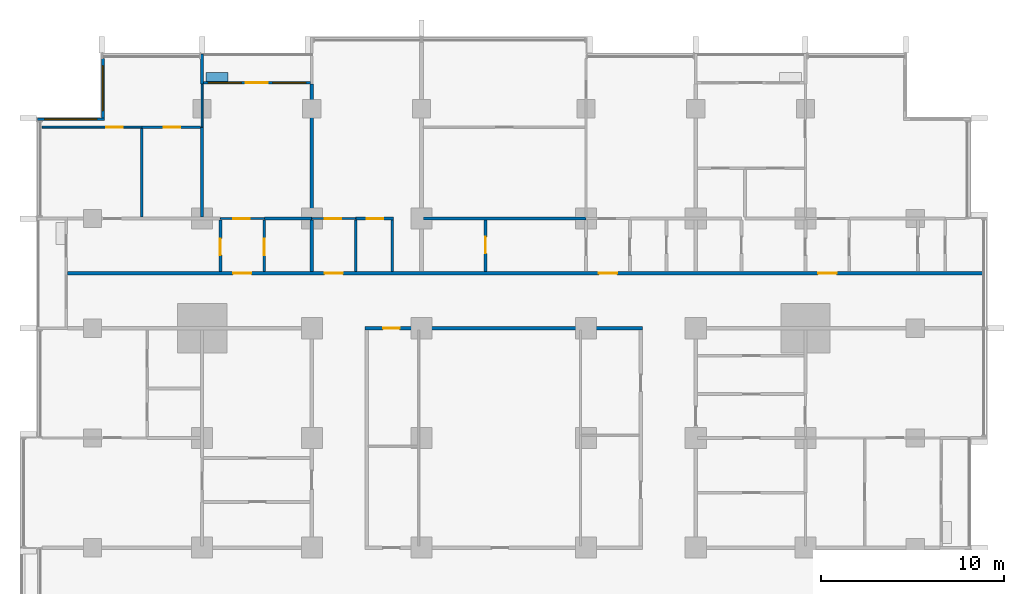
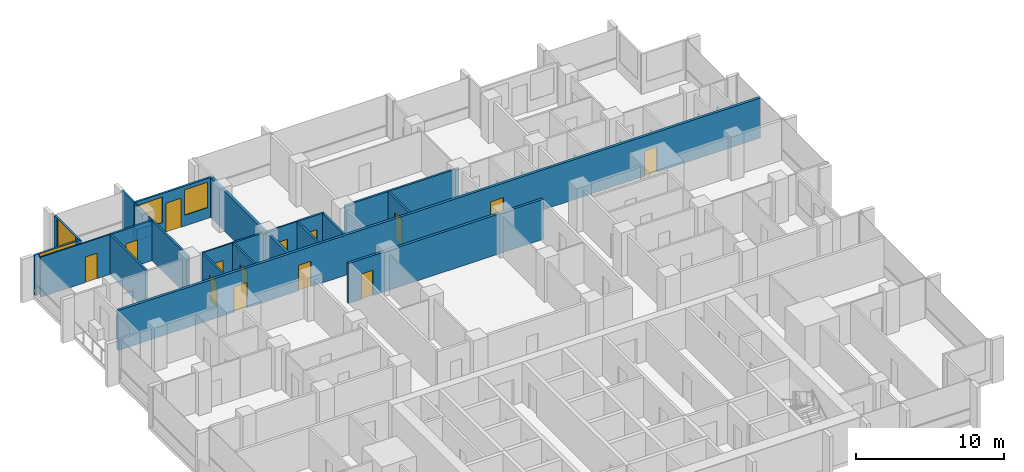
# One storey, part 11 of 18: 24 walls, 14 doors, 4 windows, 18 openings.
"""IFC4 building model written with IfcOpenShell, lengths in metres."""

import ifcopenshell
import ifcopenshell.guid

model = None  # the IFC model being written
_history = None  # IfcOwnerHistory: only IFC2X3 demands one
_inside = {}  # id of a spatial element -> (the spatial element, [elements in it])
_under = {}  # id of a project, library or spatial element -> (it, [spatial elements below it])
_declared = {}  # id of a project -> (the project, [libraries it declares])
_typed = {}  # id of a type object -> (the type object, [elements of that type])
_made_of = {}  # id of a material, layer set ... -> (it, [elements and type objects made of it])


def new_model(schema):
    """Start an empty IFC model of exactly this schema.

    Asked for "IFC4X3", IfcOpenShell would pick the latest addendum, in which some entities
    have other attributes; the version numbers below select the first issue.
    IFC2X3 requires an IfcOwnerHistory on every rooted entity: one is made here for all.
    """
    global model, _history
    if schema == "IFC4X3":
        model = ifcopenshell.file(schema_version=(4, 3, 0, 0))
    else:
        model = ifcopenshell.file(schema=schema)
    _inside.clear()
    _under.clear()
    _declared.clear()
    _typed.clear()
    _made_of.clear()
    _history = None
    if model.schema == "IFC2X3":
        org = make("IfcOrganization", Name="unknown")
        user = make(
            "IfcPersonAndOrganization",
            ThePerson=make("IfcPerson", FamilyName="unknown"),
            TheOrganization=org,
        )
        app = make(
            "IfcApplication",
            ApplicationDeveloper=org,
            Version="unknown",
            ApplicationFullName="unknown",
            ApplicationIdentifier="unknown",
        )
        _history = make(
            "IfcOwnerHistory",
            OwningUser=user,
            OwningApplication=app,
            ChangeAction="ADDED",
            CreationDate=0,
        )
    return model


def make(cls, **values):
    """One entity of the class cls with the attributes given. An attribute that is None is left unset."""
    return model.create_entity(
        cls, **{name: value for name, value in values.items() if value is not None}
    )


def rooted(cls, **values):
    """An entity with a GlobalId (a new one), such as an element, a storey or a relation."""
    return make(cls, GlobalId=ifcopenshell.guid.new(), OwnerHistory=_history, **values)


def si_unit(unit_type, name, prefix=None):
    """IfcSIUnit, for example si_unit("LENGTHUNIT", "METRE", prefix="MILLI")."""
    return make("IfcSIUnit", UnitType=unit_type, Prefix=prefix, Name=name)


def assignment(units):
    """IfcUnitAssignment: the units of a project."""
    return None if units is None else make("IfcUnitAssignment", Units=units)


def point(xyz):
    """IfcCartesianPoint."""
    return None if xyz is None else make("IfcCartesianPoint", Coordinates=xyz)


def direction(xyz):
    """IfcDirection."""
    return None if xyz is None else make("IfcDirection", DirectionRatios=xyz)


def frame(location, z_axis=None, x_axis=None):
    """IfcAxis2Placement3D, a coordinate frame: its origin and axes. An axis left out is left unset."""
    return make(
        "IfcAxis2Placement3D",
        Location=point(location),
        Axis=direction(z_axis),
        RefDirection=direction(x_axis),
    )


def frame_2d(location, x_axis=None):
    """IfcAxis2Placement2D, a coordinate frame in the plane: its origin and x axis."""
    return make(
        "IfcAxis2Placement2D", Location=point(location), RefDirection=direction(x_axis)
    )


def origin():
    """The frame at (0, 0, 0) with its axes left unset."""
    return frame((0.0, 0.0, 0.0))


def place(relative_to, where):
    """IfcLocalPlacement: puts the frame where relative to a parent placement (None: the world)."""
    return make(
        "IfcLocalPlacement", PlacementRelTo=relative_to, RelativePlacement=where
    )


def context(
    kind, dimensions, precision=None, world=None, true_north=None, identifier=None
):
    """IfcGeometricRepresentationContext, for example the 3D "Model" context."""
    return make(
        "IfcGeometricRepresentationContext",
        ContextIdentifier=identifier,
        ContextType=kind,
        CoordinateSpaceDimension=dimensions,
        Precision=precision,
        WorldCoordinateSystem=world,
        TrueNorth=true_north,
    )


def subcontext(parent, identifier, kind, view, scale=None):
    """IfcGeometricRepresentationSubContext, for example "Body" below "Model"."""
    return make(
        "IfcGeometricRepresentationSubContext",
        ContextIdentifier=identifier,
        ContextType=kind,
        ParentContext=parent,
        TargetScale=scale,
        TargetView=view,
    )


def project(units=None, contexts=None):
    """IfcProject with its units and contexts."""
    return rooted(
        "IfcProject",
        Name="project",
        RepresentationContexts=contexts,
        UnitsInContext=assignment(units),
    )


def spatial(cls, under=None, at=None, **own):
    """A site, building, storey or space (cls), placed at a placement, below another one or the project."""
    s = rooted(cls, ObjectPlacement=at, **own)
    if under is not None:
        _under.setdefault(under.id(), (under, []))[1].append(s)
    return s


def profile(cls, at=None, kind="AREA", **sizes):
    """A parametric profile (cls). Its sizes go by their IFC names, for example OverallWidth=200.0."""
    return make(cls, ProfileType=kind, Position=at, **sizes)


def rectangle(**sizes):
    """IfcRectangleProfileDef."""
    return profile("IfcRectangleProfileDef", **sizes)


def extrude(swept, where, along, depth):
    """IfcExtrudedAreaSolid: the profile swept, set in the frame where, extruded along a direction by depth."""
    return make(
        "IfcExtrudedAreaSolid",
        SweptArea=swept,
        Position=where,
        ExtrudedDirection=direction(along),
        Depth=depth,
    )


def shape(context_of_items, identifier, shape_type, items):
    """IfcShapeRepresentation: the items that make up one representation, for example the "Body"."""
    return make(
        "IfcShapeRepresentation",
        ContextOfItems=context_of_items,
        RepresentationIdentifier=identifier,
        RepresentationType=shape_type,
        Items=items,
    )


def material(Name=None, Category=None):
    """IfcMaterial."""
    return make("IfcMaterial", Name=Name, Category=Category)


def layer(
    of_material, thickness, ventilated=None, Name=None, Category=None, Priority=None
):
    """IfcMaterialLayer: one layer of a wall or slab, of a material (None: an air gap)."""
    return make(
        "IfcMaterialLayer",
        Material=of_material,
        LayerThickness=thickness,
        IsVentilated=ventilated,
        Name=Name,
        Category=Category,
        Priority=Priority,
    )


def layer_set(layers, Name=None):
    """IfcMaterialLayerSet."""
    return make("IfcMaterialLayerSet", MaterialLayers=layers, LayerSetName=Name)


def made_of(thing, what):
    """Note that an element or type object is made of a material, layer set ...; save() writes the relation."""
    if what is not None:
        _made_of.setdefault(what.id(), (what, []))[1].append(thing)
    return thing


def type_object(cls, material=None, **own):
    """A type object (cls), such as IfcWallType, which elements share."""
    return made_of(rooted(cls, **own), material)


def element(
    cls,
    number,
    at=None,
    inside=None,
    cuts=None,
    type_object=None,
    material=None,
    context=None,
    identifier="Body",
    shape_type=None,
    held_by="IfcProductDefinitionShape",
    body=None,
    shapes=None,
    **own,
):
    """One element of the class cls, such as IfcWall. Its Tag is "e" and its number.

    at: its placement. inside: the storey or other place that contains it. cuts: it is an
    opening in that element (IfcRelVoidsElement). A single representation is given by context,
    identifier, shape_type and body (its items); several are given by shapes. held_by: the class
    of the entity that holds the representations. save() writes the other relations.
    """
    e = rooted(cls, Tag="e%d" % number, ObjectPlacement=at, **own)
    if body is not None:
        shapes = [shape(context, identifier, shape_type, body)]
    if shapes is not None:
        e.Representation = make(held_by, Representations=shapes)
    if inside is not None:
        _inside.setdefault(inside.id(), (inside, []))[1].append(e)
    if cuts is not None:
        rooted(
            "IfcRelVoidsElement", RelatingBuildingElement=cuts, RelatedOpeningElement=e
        )
    if type_object is not None:
        _typed.setdefault(type_object.id(), (type_object, []))[1].append(e)
    return made_of(e, material)


def fill(opening, filler):
    """IfcRelFillsElement: the door or window that sits in an opening."""
    return rooted(
        "IfcRelFillsElement",
        RelatingOpeningElement=opening,
        RelatedBuildingElement=filler,
    )


def aggregate(whole, parts):
    """IfcRelAggregates: a whole, such as a stair, and the parts it consists of."""
    return rooted("IfcRelAggregates", RelatingObject=whole, RelatedObjects=parts)


def save(model, path):
    """Write the relations noted so far, then the file.

    IfcRelAggregates (storeys below a building ...), IfcRelContainedInSpatialStructure (elements
    in a storey), IfcRelDefinesByType, IfcRelAssociatesMaterial and IfcRelDeclares: one each for
    every whole, place, type object, material and project.
    """
    for whole, parts in _under.values():
        aggregate(whole, parts)
    for where, things in _inside.values():
        rooted(
            "IfcRelContainedInSpatialStructure",
            RelatedElements=things,
            RelatingStructure=where,
        )
    for kind, things in _typed.values():
        rooted("IfcRelDefinesByType", RelatedObjects=things, RelatingType=kind)
    for what, things in _made_of.values():
        rooted("IfcRelAssociatesMaterial", RelatedObjects=things, RelatingMaterial=what)
    for by, libraries in _declared.values():
        rooted("IfcRelDeclares", RelatingContext=by, RelatedDefinitions=libraries)
    model.write(path)


model = new_model("IFC4")

# Units and contexts
model_context = context("Model", 3, precision=1e-05, world=origin(), true_north=direction((0.0, 1.0)))
body_context = subcontext(model_context, "Body", "Model", "MODEL_VIEW")
ifc_project = project(units=[si_unit("LENGTHUNIT", "METRE"), si_unit("AREAUNIT", "SQUARE_METRE"), si_unit("VOLUMEUNIT", "CUBIC_METRE"), si_unit("PLANEANGLEUNIT", "RADIAN"), si_unit("MASSUNIT", "GRAM", prefix="KILO")], contexts=[model_context])

# Site, building, storey
site_placement = place(None, origin())
site = spatial("IfcSite", under=ifc_project, at=site_placement, CompositionType="ELEMENT")
building_placement = place(site_placement, origin())
building = spatial("IfcBuilding", under=site, at=building_placement, Name="Finial Court Residences", CompositionType="ELEMENT")
storey_placement = place(building_placement, frame((0.0, 0.0, 106.300048828125)))
storey = spatial("IfcBuildingStorey", under=building, at=storey_placement, Name="L26", CompositionType="ELEMENT", Elevation=106.300048828125)

# Walls
ifc_material_1 = material(Name="Gypsum board")
ifc_layer_1 = layer(ifc_material_1, 0.02490234375)
ifc_material_2 = material(Name="Acoustic mineral wool in double frame")
ifc_layer_2 = layer(ifc_material_2, 0.14990234375)
ifc_layer_3 = layer(ifc_material_1, 0.02490234375)
ifc_layer_set_1 = layer_set([ifc_layer_1, ifc_layer_2, ifc_layer_3], Name="Acoustic party wall 200, 1 hour")
wall_type_1 = type_object("IfcWallType", Name="Acoustic party wall 200, 1 hour", PredefinedType="PARTITIONING", material=ifc_layer_set_1)
wall_1_placement = place(storey_placement, frame((-10.5, 10.60009765625, 0.0), z_axis=(0.0, 0.0, 1.0), x_axis=(0.0, 1.0, 0.0)))
element("IfcWall", 1, at=wall_1_placement, inside=storey, type_object=wall_type_1, Name="Partition L26-062", PredefinedType="PARTITIONING", context=body_context, shape_type="SweptSolid", body=[
    extrude(rectangle(XDim=2.824951171875, YDim=0.199951171875, at=frame_2d((1.41259765625, 0.0))), origin(), (0.0, 0.0, 1.0), 3.300048828125),
])
wall_2_placement = place(storey_placement, frame((-10.5, 13.574951171875, 0.0), z_axis=(0.0, 0.0, 1.0), x_axis=(0.0, 1.0, 0.0)))
element("IfcWall", 2, at=wall_2_placement, inside=storey, type_object=wall_type_1, Name="Partition L26-063", PredefinedType="PARTITIONING", context=body_context, shape_type="SweptSolid", body=[
    extrude(rectangle(XDim=7.275146484375, YDim=0.199951171875, at=frame_2d((3.6376953125, 0.0))), origin(), (0.0, 0.0, 1.0), 3.300048828125),
])

# Wall, opening, door
ifc_layer_4 = layer(ifc_material_1, 0.02490234375)
ifc_layer_5 = layer(ifc_material_2, 0.14990234375)
ifc_layer_6 = layer(ifc_material_1, 0.02490234375)
ifc_layer_set_2 = layer_set([ifc_layer_4, ifc_layer_5, ifc_layer_6], Name="Corridor wall 200, 1 hour")
wall_type_2 = type_object("IfcWallType", Name="Corridor wall 200, 1 hour", PredefinedType="PARTITIONING", material=ifc_layer_set_2)
wall_3_placement = place(storey_placement, frame((-7.60009765625, 7.5, 0.0), z_axis=(0.0, 0.0, 1.0), x_axis=(1.0, 0.0, 0.0)))
wall_3 = element("IfcWall", 3, at=wall_3_placement, inside=storey, type_object=wall_type_2, Name="Partition L26-025", PredefinedType="PARTITIONING", context=body_context, shape_type="SweptSolid", body=[
    extrude(rectangle(XDim=15.2001953125, YDim=0.199951171875, at=frame_2d((7.60009765625, 0.0))), origin(), (0.0, 0.0, 1.0), 3.300048828125),
])
opening_1_placement = place(wall_3_placement, frame((1.0, 0.0, 0.0)))
opening_1 = element("IfcOpeningElement", 4, at=opening_1_placement, cuts=wall_3, Name="Opening L26-D017", PredefinedType="OPENING", context=body_context, shape_type="SweptSolid", body=[
    extrude(rectangle(XDim=0.89990234375, YDim=2.10009765625, at=frame_2d((0.449951171875, 1.050048828125))), frame((0.0, 0.10986328125, 0.0), z_axis=(0.0, -1.0, 0.0), x_axis=(1.0, 0.0, 0.0)), (0.0, 0.0, 1.0), 0.219970703125),
])
ifc_material_3 = material(Name="Timber door leaf in hollow metal frame", Category="wood")
door_type_1 = type_object("IfcDoorType", Name="Fire door set 900 x 2100, 30 minutes", OperationType="SINGLE_SWING_LEFT", PredefinedType="DOOR", material=ifc_material_3)
door_1_placement = place(opening_1_placement, origin())
door_1 = element("IfcDoor", 5, at=door_1_placement, inside=storey, type_object=door_type_1, Name="Door L26-D017", OperationType="SINGLE_SWING_LEFT", OverallHeight=2.10009765625, OverallWidth=0.89990234375, PredefinedType="DOOR", context=body_context, shape_type="SweptSolid", body=[
    extrude(rectangle(XDim=0.89990234375, YDim=2.10009765625, at=frame_2d((0.449951171875, 1.050048828125))), frame((0.0, 0.02490234375, 0.0), z_axis=(0.0, -1.0, 0.0), x_axis=(1.0, 0.0, 0.0)), (0.0, 0.0, 1.0), 0.050048828125),
])
fill(opening_1, door_1)

# Wall, openings, doors
wall_4_placement = place(storey_placement, frame((-23.85009765625, 10.5, 0.0), z_axis=(0.0, 0.0, 1.0), x_axis=(1.0, 0.0, 0.0)))
wall_4 = element("IfcWall", 6, at=wall_4_placement, inside=storey, type_object=wall_type_2, Name="Partition L26-027", PredefinedType="PARTITIONING", context=body_context, shape_type="SweptSolid", body=[
    extrude(rectangle(XDim=50.10009765625, YDim=0.199951171875, at=frame_2d((25.050048828125, 0.0))), origin(), (0.0, 0.0, 1.0), 3.300048828125),
])
opening_2_placement = place(wall_4_placement, frame((9.050048828125, 0.0, 0.0)))
opening_2 = element("IfcOpeningElement", 7, at=opening_2_placement, cuts=wall_4, Name="Opening L26-D018", PredefinedType="OPENING", context=body_context, shape_type="SweptSolid", body=[
    extrude(rectangle(XDim=1.0, YDim=2.10009765625, at=frame_2d((0.5, 1.050048828125))), frame((0.0, 0.10986328125, 0.0), z_axis=(0.0, -1.0, 0.0), x_axis=(1.0, 0.0, 0.0)), (0.0, 0.0, 1.0), 0.219970703125),
])
opening_3_placement = place(wall_4_placement, frame((14.050048828125, 0.0, 0.0)))
opening_3 = element("IfcOpeningElement", 8, at=opening_3_placement, cuts=wall_4, Name="Opening L26-D019", PredefinedType="OPENING", context=body_context, shape_type="SweptSolid", body=[
    extrude(rectangle(XDim=1.0, YDim=2.10009765625, at=frame_2d((0.5, 1.050048828125))), frame((0.0, 0.10986328125, 0.0), z_axis=(0.0, -1.0, 0.0), x_axis=(1.0, 0.0, 0.0)), (0.0, 0.0, 1.0), 0.219970703125),
])
opening_4_placement = place(wall_4_placement, frame((29.050048828125, 0.0, 0.0)))
opening_4 = element("IfcOpeningElement", 9, at=opening_4_placement, cuts=wall_4, Name="Opening L26-D020", PredefinedType="OPENING", context=body_context, shape_type="SweptSolid", body=[
    extrude(rectangle(XDim=1.0, YDim=2.10009765625, at=frame_2d((0.5, 1.050048828125))), frame((0.0, 0.10986328125, 0.0), z_axis=(0.0, -1.0, 0.0), x_axis=(1.0, 0.0, 0.0)), (0.0, 0.0, 1.0), 0.219970703125),
])
opening_5_placement = place(wall_4_placement, frame((41.050048828125, 0.0, 0.0)))
opening_5 = element("IfcOpeningElement", 10, at=opening_5_placement, cuts=wall_4, Name="Opening L26-D021", PredefinedType="OPENING", context=body_context, shape_type="SweptSolid", body=[
    extrude(rectangle(XDim=1.0, YDim=2.10009765625, at=frame_2d((0.5, 1.050048828125))), frame((0.0, 0.10986328125, 0.0), z_axis=(0.0, -1.0, 0.0), x_axis=(1.0, 0.0, 0.0)), (0.0, 0.0, 1.0), 0.219970703125),
])
door_type_2 = type_object("IfcDoorType", Name="Fire door set 1000 x 2100, 30 minutes", OperationType="SINGLE_SWING_LEFT", PredefinedType="DOOR", material=ifc_material_3)
door_2_placement = place(opening_2_placement, origin())
door_2 = element("IfcDoor", 11, at=door_2_placement, inside=storey, type_object=door_type_2, Name="Door L26-D018", OperationType="SINGLE_SWING_RIGHT", OverallHeight=2.10009765625, OverallWidth=1.0, PredefinedType="DOOR", context=body_context, shape_type="SweptSolid", body=[
    extrude(rectangle(XDim=1.0, YDim=2.10009765625, at=frame_2d((0.5, 1.050048828125))), frame((0.0, 0.02490234375, 0.0), z_axis=(0.0, -1.0, 0.0), x_axis=(1.0, 0.0, 0.0)), (0.0, 0.0, 1.0), 0.050048828125),
])
fill(opening_2, door_2)
door_3_placement = place(opening_3_placement, origin())
door_3 = element("IfcDoor", 12, at=door_3_placement, inside=storey, type_object=door_type_2, Name="Door L26-D019", OperationType="SINGLE_SWING_RIGHT", OverallHeight=2.10009765625, OverallWidth=1.0, PredefinedType="DOOR", context=body_context, shape_type="SweptSolid", body=[
    extrude(rectangle(XDim=1.0, YDim=2.10009765625, at=frame_2d((0.5, 1.050048828125))), frame((0.0, 0.02490234375, 0.0), z_axis=(0.0, -1.0, 0.0), x_axis=(1.0, 0.0, 0.0)), (0.0, 0.0, 1.0), 0.050048828125),
])
fill(opening_3, door_3)
door_4_placement = place(opening_4_placement, origin())
door_4 = element("IfcDoor", 13, at=door_4_placement, inside=storey, type_object=door_type_2, Name="Door L26-D020", OperationType="SINGLE_SWING_LEFT", OverallHeight=2.10009765625, OverallWidth=1.0, PredefinedType="DOOR", context=body_context, shape_type="SweptSolid", body=[
    extrude(rectangle(XDim=1.0, YDim=2.10009765625, at=frame_2d((0.5, 1.050048828125))), frame((0.0, 0.02490234375, 0.0), z_axis=(0.0, -1.0, 0.0), x_axis=(1.0, 0.0, 0.0)), (0.0, 0.0, 1.0), 0.050048828125),
])
fill(opening_4, door_4)
door_5_placement = place(opening_5_placement, origin())
door_5 = element("IfcDoor", 14, at=door_5_placement, inside=storey, type_object=door_type_2, Name="Door L26-D021", OperationType="SINGLE_SWING_LEFT", OverallHeight=2.10009765625, OverallWidth=1.0, PredefinedType="DOOR", context=body_context, shape_type="SweptSolid", body=[
    extrude(rectangle(XDim=1.0, YDim=2.10009765625, at=frame_2d((0.5, 1.050048828125))), frame((0.0, 0.02490234375, 0.0), z_axis=(0.0, -1.0, 0.0), x_axis=(1.0, 0.0, 0.0)), (0.0, 0.0, 1.0), 0.050048828125),
])
fill(opening_5, door_5)

# Wall, opening, door
ifc_layer_7 = layer(ifc_material_1, 0.012451171875)
ifc_material_4 = material(Name="Mineral wool in light-gauge frame")
ifc_layer_8 = layer(ifc_material_4, 0.074951171875)
ifc_layer_9 = layer(ifc_material_1, 0.012451171875)
ifc_layer_set_3 = layer_set([ifc_layer_7, ifc_layer_8, ifc_layer_9], Name="Gypsum board partition 100")
wall_type_3 = type_object("IfcWallType", Name="Gypsum board partition 100", PredefinedType="PARTITIONING", material=ifc_layer_set_3)
wall_5_placement = place(storey_placement, frame((-15.5, 13.5, 0.0), z_axis=(0.0, 0.0, 1.0), x_axis=(1.0, 0.0, 0.0)))
wall_5 = element("IfcWall", 15, at=wall_5_placement, inside=storey, type_object=wall_type_3, Name="Partition L26-028", PredefinedType="PARTITIONING", context=body_context, shape_type="SweptSolid", body=[
    extrude(rectangle(XDim=2.39990234375, YDim=0.10009765625, at=frame_2d((1.199951171875, 0.0))), origin(), (0.0, 0.0, 1.0), 3.300048828125),
])
opening_6_placement = place(wall_5_placement, frame((0.699951171875, 0.0, 0.0)))
opening_6 = element("IfcOpeningElement", 16, at=opening_6_placement, cuts=wall_5, Name="Opening L26-D022", PredefinedType="OPENING", context=body_context, shape_type="SweptSolid", body=[
    extrude(rectangle(XDim=0.89990234375, YDim=2.10009765625, at=frame_2d((0.449951171875, 1.050048828125))), frame((0.0, 0.06005859375, 0.0), z_axis=(0.0, -1.0, 0.0), x_axis=(1.0, 0.0, 0.0)), (0.0, 0.0, 1.0), 0.1201171875),
])
ifc_material_5 = material(Name="Timber door leaf in timber frame", Category="wood")
door_type_3 = type_object("IfcDoorType", Name="Door set 900 x 2100", OperationType="SINGLE_SWING_LEFT", PredefinedType="DOOR", material=ifc_material_5)
door_6_placement = place(opening_6_placement, origin())
door_6 = element("IfcDoor", 17, at=door_6_placement, inside=storey, type_object=door_type_3, Name="Door L26-D022", OperationType="SINGLE_SWING_LEFT", OverallHeight=2.10009765625, OverallWidth=0.89990234375, PredefinedType="DOOR", context=body_context, shape_type="SweptSolid", body=[
    extrude(rectangle(XDim=0.89990234375, YDim=2.10009765625, at=frame_2d((0.449951171875, 1.050048828125))), frame((0.0, 0.02490234375, 0.0), z_axis=(0.0, -1.0, 0.0), x_axis=(1.0, 0.0, 0.0)), (0.0, 0.0, 1.0), 0.050048828125),
])
fill(opening_6, door_6)

wall_6_placement = place(storey_placement, frame((-10.5, 13.5, 0.0), z_axis=(0.0, 0.0, 1.0), x_axis=(1.0, 0.0, 0.0)))
wall_6 = element("IfcWall", 18, at=wall_6_placement, inside=storey, type_object=wall_type_3, Name="Partition L26-029", PredefinedType="PARTITIONING", context=body_context, shape_type="SweptSolid", body=[
    extrude(rectangle(XDim=2.39990234375, YDim=0.10009765625, at=frame_2d((1.199951171875, 0.0))), origin(), (0.0, 0.0, 1.0), 3.300048828125),
])
opening_7_placement = place(wall_6_placement, frame((0.699951171875, 0.0, 0.0)))
opening_7 = element("IfcOpeningElement", 19, at=opening_7_placement, cuts=wall_6, Name="Opening L26-D023", PredefinedType="OPENING", context=body_context, shape_type="SweptSolid", body=[
    extrude(rectangle(XDim=0.89990234375, YDim=2.10009765625, at=frame_2d((0.449951171875, 1.050048828125))), frame((0.0, 0.06005859375, 0.0), z_axis=(0.0, -1.0, 0.0), x_axis=(1.0, 0.0, 0.0)), (0.0, 0.0, 1.0), 0.1201171875),
])
door_7_placement = place(opening_7_placement, origin())
door_7 = element("IfcDoor", 20, at=door_7_placement, inside=storey, type_object=door_type_3, Name="Door L26-D023", OperationType="SINGLE_SWING_RIGHT", OverallHeight=2.10009765625, OverallWidth=0.89990234375, PredefinedType="DOOR", context=body_context, shape_type="SweptSolid", body=[
    extrude(rectangle(XDim=0.89990234375, YDim=2.10009765625, at=frame_2d((0.449951171875, 1.050048828125))), frame((0.0, 0.02490234375, 0.0), z_axis=(0.0, -1.0, 0.0), x_axis=(1.0, 0.0, 0.0)), (0.0, 0.0, 1.0), 0.050048828125),
])
fill(opening_7, door_7)

wall_7_placement = place(storey_placement, frame((-25.25, 18.5, 0.0), z_axis=(0.0, 0.0, 1.0), x_axis=(1.0, 0.0, 0.0)))
wall_7 = element("IfcWall", 21, at=wall_7_placement, inside=storey, type_object=wall_type_3, Name="Partition L26-042", PredefinedType="PARTITIONING", context=body_context, shape_type="SweptSolid", body=[
    extrude(rectangle(XDim=5.449951171875, YDim=0.10009765625, at=frame_2d((2.72509765625, 0.0))), origin(), (0.0, 0.0, 1.0), 3.300048828125),
])
opening_8_placement = place(wall_7_placement, frame((3.5, 0.0, 0.0)))
opening_8 = element("IfcOpeningElement", 22, at=opening_8_placement, cuts=wall_7, Name="Opening L26-D030", PredefinedType="OPENING", context=body_context, shape_type="SweptSolid", body=[
    extrude(rectangle(XDim=0.89990234375, YDim=2.10009765625, at=frame_2d((0.449951171875, 1.050048828125))), frame((0.0, 0.06005859375, 0.0), z_axis=(0.0, -1.0, 0.0), x_axis=(1.0, 0.0, 0.0)), (0.0, 0.0, 1.0), 0.1201171875),
])
door_8_placement = place(opening_8_placement, origin())
door_8 = element("IfcDoor", 23, at=door_8_placement, inside=storey, type_object=door_type_3, Name="Door L26-D030", OperationType="SINGLE_SWING_LEFT", OverallHeight=2.10009765625, OverallWidth=0.89990234375, PredefinedType="DOOR", context=body_context, shape_type="SweptSolid", body=[
    extrude(rectangle(XDim=0.89990234375, YDim=2.10009765625, at=frame_2d((0.449951171875, 1.050048828125))), frame((0.0, 0.02490234375, 0.0), z_axis=(0.0, -1.0, 0.0), x_axis=(1.0, 0.0, 0.0)), (0.0, 0.0, 1.0), 0.050048828125),
])
fill(opening_8, door_8)

# Walls
wall_8_placement = place(storey_placement, frame((-16.5, 18.5, 0.0), z_axis=(0.0, 0.0, 1.0), x_axis=(0.0, 1.0, 0.0)))
element("IfcWall", 24, at=wall_8_placement, inside=storey, type_object=wall_type_3, Name="Partition L26-052", PredefinedType="PARTITIONING", context=body_context, shape_type="SweptSolid", body=[
    extrude(rectangle(XDim=2.35009765625, YDim=0.10009765625, at=frame_2d((1.175048828125, 0.0))), origin(), (0.0, 0.0, 1.0), 3.300048828125),
])
ifc_material_6 = material(Name="Moisture-resistant gypsum board")
ifc_layer_10 = layer(ifc_material_6, 0.012451171875)
ifc_layer_11 = layer(ifc_material_4, 0.125)
ifc_layer_12 = layer(ifc_material_6, 0.012451171875)
ifc_layer_set_4 = layer_set([ifc_layer_10, ifc_layer_11, ifc_layer_12], Name="Gypsum board wet-area partition 150")
wall_type_4 = type_object("IfcWallType", Name="Gypsum board wet-area partition 150", PredefinedType="PARTITIONING", material=ifc_layer_set_4)
wall_9_placement = place(storey_placement, frame((-13.10009765625, 13.5, 0.0), z_axis=(0.0, 0.0, 1.0), x_axis=(1.0, 0.0, 0.0)))
element("IfcWall", 25, at=wall_9_placement, inside=storey, type_object=wall_type_4, Name="Partition L26-034", PredefinedType="PARTITIONING", context=body_context, shape_type="SweptSolid", body=[
    extrude(rectangle(XDim=2.60009765625, YDim=0.14990234375, at=frame_2d((1.300048828125, 0.0))), origin(), (0.0, 0.0, 1.0), 3.300048828125),
])

# Wall, opening, door
wall_10_placement = place(storey_placement, frame((-8.10009765625, 13.5, 0.0), z_axis=(0.0, 0.0, 1.0), x_axis=(1.0, 0.0, 0.0)))
wall_10 = element("IfcWall", 26, at=wall_10_placement, inside=storey, type_object=wall_type_4, Name="Partition L26-035", PredefinedType="PARTITIONING", context=body_context, shape_type="SweptSolid", body=[
    extrude(rectangle(XDim=2.0751953125, YDim=0.14990234375, at=frame_2d((1.03759765625, 0.0))), origin(), (0.0, 0.0, 1.0), 3.300048828125),
])
opening_9_placement = place(wall_10_placement, frame((0.60009765625, 0.0, 0.0)))
opening_9 = element("IfcOpeningElement", 27, at=opening_9_placement, cuts=wall_10, Name="Opening L26-D027", PredefinedType="OPENING", context=body_context, shape_type="SweptSolid", body=[
    extrude(rectangle(XDim=0.89990234375, YDim=2.10009765625, at=frame_2d((0.449951171875, 1.050048828125))), frame((0.0, 0.0849609375, 0.0), z_axis=(0.0, -1.0, 0.0), x_axis=(1.0, 0.0, 0.0)), (0.0, 0.0, 1.0), 0.169921875),
])
door_9_placement = place(opening_9_placement, origin())
door_9 = element("IfcDoor", 28, at=door_9_placement, inside=storey, type_object=door_type_3, Name="Door L26-D027", OperationType="SINGLE_SWING_LEFT", OverallHeight=2.10009765625, OverallWidth=0.89990234375, PredefinedType="DOOR", context=body_context, shape_type="SweptSolid", body=[
    extrude(rectangle(XDim=0.89990234375, YDim=2.10009765625, at=frame_2d((0.449951171875, 1.050048828125))), frame((0.0, 0.02490234375, 0.0), z_axis=(0.0, -1.0, 0.0), x_axis=(1.0, 0.0, 0.0)), (0.0, 0.0, 1.0), 0.050048828125),
])
fill(opening_9, door_9)

# Wall
wall_11_placement = place(storey_placement, frame((-4.39990234375, 13.5, 0.0), z_axis=(0.0, 0.0, 1.0), x_axis=(1.0, 0.0, 0.0)))
element("IfcWall", 29, at=wall_11_placement, inside=storey, type_object=wall_type_4, Name="Partition L26-036", PredefinedType="PARTITIONING", context=body_context, shape_type="SweptSolid", body=[
    extrude(rectangle(XDim=8.89990234375, YDim=0.14990234375, at=frame_2d((4.449951171875, 0.0))), origin(), (0.0, 0.0, 1.0), 3.300048828125),
])

# Wall, opening, door
wall_12_placement = place(storey_placement, frame((-19.800048828125, 18.5, 0.0), z_axis=(0.0, 0.0, 1.0), x_axis=(1.0, 0.0, 0.0)))
wall_12 = element("IfcWall", 30, at=wall_12_placement, inside=storey, type_object=wall_type_4, Name="Partition L26-044", PredefinedType="PARTITIONING", context=body_context, shape_type="SweptSolid", body=[
    extrude(rectangle(XDim=3.22509765625, YDim=0.14990234375, at=frame_2d((1.612548828125, 0.0))), origin(), (0.0, 0.0, 1.0), 3.300048828125),
])
opening_10_placement = place(wall_12_placement, frame((1.199951171875, 0.0, 0.0)))
opening_10 = element("IfcOpeningElement", 31, at=opening_10_placement, cuts=wall_12, Name="Opening L26-D032", PredefinedType="OPENING", context=body_context, shape_type="SweptSolid", body=[
    extrude(rectangle(XDim=0.89990234375, YDim=2.10009765625, at=frame_2d((0.449951171875, 1.050048828125))), frame((0.0, 0.0849609375, 0.0), z_axis=(0.0, -1.0, 0.0), x_axis=(1.0, 0.0, 0.0)), (0.0, 0.0, 1.0), 0.169921875),
])
door_10_placement = place(opening_10_placement, origin())
door_10 = element("IfcDoor", 32, at=door_10_placement, inside=storey, type_object=door_type_3, Name="Door L26-D032", OperationType="SINGLE_SWING_RIGHT", OverallHeight=2.10009765625, OverallWidth=0.89990234375, PredefinedType="DOOR", context=body_context, shape_type="SweptSolid", body=[
    extrude(rectangle(XDim=0.89990234375, YDim=2.10009765625, at=frame_2d((0.449951171875, 1.050048828125))), frame((0.0, 0.02490234375, 0.0), z_axis=(0.0, -1.0, 0.0), x_axis=(1.0, 0.0, 0.0)), (0.0, 0.0, 1.0), 0.050048828125),
])
fill(opening_10, door_10)

# Walls
wall_13_placement = place(storey_placement, frame((-19.800048828125, 13.574951171875, 0.0), z_axis=(0.0, 0.0, 1.0), x_axis=(0.0, 1.0, 0.0)))
element("IfcWall", 33, at=wall_13_placement, inside=storey, type_object=wall_type_4, Name="Partition L26-047", PredefinedType="PARTITIONING", context=body_context, shape_type="SweptSolid", body=[
    extrude(rectangle(XDim=4.85009765625, YDim=0.14990234375, at=frame_2d((2.425048828125, 0.0))), origin(), (0.0, 0.0, 1.0), 3.300048828125),
])
wall_14_placement = place(storey_placement, frame((-16.5, 13.574951171875, 0.0), z_axis=(0.0, 0.0, 1.0), x_axis=(0.0, 1.0, 0.0)))
element("IfcWall", 34, at=wall_14_placement, inside=storey, type_object=wall_type_4, Name="Partition L26-055", PredefinedType="PARTITIONING", context=body_context, shape_type="SweptSolid", body=[
    extrude(rectangle(XDim=4.925048828125, YDim=0.14990234375, at=frame_2d((2.46240234375, 0.0))), origin(), (0.0, 0.0, 1.0), 3.300048828125),
])

# Wall, opening, door
wall_15_placement = place(storey_placement, frame((-15.5, 10.60009765625, 0.0), z_axis=(0.0, 0.0, 1.0), x_axis=(0.0, 1.0, 0.0)))
wall_15 = element("IfcWall", 35, at=wall_15_placement, inside=storey, type_object=wall_type_4, Name="Partition L26-059", PredefinedType="PARTITIONING", context=body_context, shape_type="SweptSolid", body=[
    extrude(rectangle(XDim=2.824951171875, YDim=0.14990234375, at=frame_2d((1.41259765625, 0.0))), origin(), (0.0, 0.0, 1.0), 3.300048828125),
])
opening_11_placement = place(wall_15_placement, frame((0.89990234375, 0.0, 0.0)))
opening_11 = element("IfcOpeningElement", 36, at=opening_11_placement, cuts=wall_15, Name="Opening L26-D040", PredefinedType="OPENING", context=body_context, shape_type="SweptSolid", body=[
    extrude(rectangle(XDim=0.89990234375, YDim=2.10009765625, at=frame_2d((0.449951171875, 1.050048828125))), frame((0.0, 0.0849609375, 0.0), z_axis=(0.0, -1.0, 0.0), x_axis=(1.0, 0.0, 0.0)), (0.0, 0.0, 1.0), 0.169921875),
])
door_11_placement = place(opening_11_placement, origin())
door_11 = element("IfcDoor", 37, at=door_11_placement, inside=storey, type_object=door_type_3, Name="Door L26-D040", OperationType="SINGLE_SWING_RIGHT", OverallHeight=2.10009765625, OverallWidth=0.89990234375, PredefinedType="DOOR", context=body_context, shape_type="SweptSolid", body=[
    extrude(rectangle(XDim=0.89990234375, YDim=2.10009765625, at=frame_2d((0.449951171875, 1.050048828125))), frame((0.0, 0.02490234375, 0.0), z_axis=(0.0, -1.0, 0.0), x_axis=(1.0, 0.0, 0.0)), (0.0, 0.0, 1.0), 0.050048828125),
])
fill(opening_11, door_11)

wall_16_placement = place(storey_placement, frame((-13.10009765625, 10.60009765625, 0.0), z_axis=(0.0, 0.0, 1.0), x_axis=(0.0, 1.0, 0.0)))
wall_16 = element("IfcWall", 38, at=wall_16_placement, inside=storey, type_object=wall_type_4, Name="Partition L26-060", PredefinedType="PARTITIONING", context=body_context, shape_type="SweptSolid", body=[
    extrude(rectangle(XDim=2.824951171875, YDim=0.14990234375, at=frame_2d((1.41259765625, 0.0))), origin(), (0.0, 0.0, 1.0), 3.300048828125),
])
opening_12_placement = place(wall_16_placement, frame((0.89990234375, 0.0, 0.0)))
opening_12 = element("IfcOpeningElement", 39, at=opening_12_placement, cuts=wall_16, Name="Opening L26-D041", PredefinedType="OPENING", context=body_context, shape_type="SweptSolid", body=[
    extrude(rectangle(XDim=0.89990234375, YDim=2.10009765625, at=frame_2d((0.449951171875, 1.050048828125))), frame((0.0, 0.0849609375, 0.0), z_axis=(0.0, -1.0, 0.0), x_axis=(1.0, 0.0, 0.0)), (0.0, 0.0, 1.0), 0.169921875),
])
door_12_placement = place(opening_12_placement, origin())
door_12 = element("IfcDoor", 40, at=door_12_placement, inside=storey, type_object=door_type_3, Name="Door L26-D041", OperationType="SINGLE_SWING_LEFT", OverallHeight=2.10009765625, OverallWidth=0.89990234375, PredefinedType="DOOR", context=body_context, shape_type="SweptSolid", body=[
    extrude(rectangle(XDim=0.89990234375, YDim=2.10009765625, at=frame_2d((0.449951171875, 1.050048828125))), frame((0.0, 0.02490234375, 0.0), z_axis=(0.0, -1.0, 0.0), x_axis=(1.0, 0.0, 0.0)), (0.0, 0.0, 1.0), 0.050048828125),
])
fill(opening_12, door_12)

# Walls
for number, where, z_axis, x_axis, name in (
    (41, (-8.10009765625, 10.60009765625, 0.0), (0.0, 0.0, 1.0), (0.0, 1.0, 0.0), "Partition L26-064"),
    (42, (-6.10009765625, 10.60009765625, 0.0), (0.0, 0.0, 1.0), (0.0, 1.0, 0.0), "Partition L26-066"),
):
    element("IfcWall", number, at=place(storey_placement, frame(where, z_axis=z_axis, x_axis=x_axis)), inside=storey, type_object=wall_type_4, Name=name, PredefinedType="PARTITIONING", context=body_context, shape_type="SweptSolid", body=[
        extrude(rectangle(XDim=2.824951171875, YDim=0.14990234375, at=frame_2d((1.41259765625, 0.0))), origin(), (0.0, 0.0, 1.0), 3.300048828125),
    ])

# Wall, opening, door
wall_17_placement = place(storey_placement, frame((-1.0, 10.60009765625, 0.0), z_axis=(0.0, 0.0, 1.0), x_axis=(0.0, 1.0, 0.0)))
wall_17 = element("IfcWall", 43, at=wall_17_placement, inside=storey, type_object=wall_type_4, Name="Partition L26-069", PredefinedType="PARTITIONING", context=body_context, shape_type="SweptSolid", body=[
    extrude(rectangle(XDim=2.824951171875, YDim=0.14990234375, at=frame_2d((1.41259765625, 0.0))), origin(), (0.0, 0.0, 1.0), 3.300048828125),
])
opening_13_placement = place(wall_17_placement, frame((1.0, 0.0, 0.0)))
opening_13 = element("IfcOpeningElement", 44, at=opening_13_placement, cuts=wall_17, Name="Opening L26-D043", PredefinedType="OPENING", context=body_context, shape_type="SweptSolid", body=[
    extrude(rectangle(XDim=0.89990234375, YDim=2.10009765625, at=frame_2d((0.449951171875, 1.050048828125))), frame((0.0, 0.0849609375, 0.0), z_axis=(0.0, -1.0, 0.0), x_axis=(1.0, 0.0, 0.0)), (0.0, 0.0, 1.0), 0.169921875),
])
door_13_placement = place(opening_13_placement, origin())
door_13 = element("IfcDoor", 45, at=door_13_placement, inside=storey, type_object=door_type_3, Name="Door L26-D043", OperationType="SINGLE_SWING_LEFT", OverallHeight=2.10009765625, OverallWidth=0.89990234375, PredefinedType="DOOR", context=body_context, shape_type="SweptSolid", body=[
    extrude(rectangle(XDim=0.89990234375, YDim=2.10009765625, at=frame_2d((0.449951171875, 1.050048828125))), frame((0.0, 0.02490234375, 0.0), z_axis=(0.0, -1.0, 0.0), x_axis=(1.0, 0.0, 0.0)), (0.0, 0.0, 1.0), 0.050048828125),
])
fill(opening_13, door_13)

# Wall, opening, window
ifc_material_7 = material(Name="Natural limestone", Category="masonry")
ifc_layer_13 = layer(ifc_material_7, 0.14990234375)
ifc_layer_set_5 = layer_set([ifc_layer_13], Name="Limestone clad wall 150")
wall_type_5 = type_object("IfcWallType", Name="Limestone clad wall 150", PredefinedType="SOLIDWALL", material=ifc_layer_set_5)
wall_18_placement = place(storey_placement, frame((-21.925048828125, 19.0, 0.0), z_axis=(0.0, 0.0, 1.0), x_axis=(0.0, 1.0, 0.0)))
wall_18 = element("IfcWall", 46, at=wall_18_placement, inside=storey, type_object=wall_type_5, Name="E-L26-NWW20", PredefinedType="SOLIDWALL", context=body_context, shape_type="SweptSolid", body=[
    extrude(rectangle(XDim=3.25, YDim=0.14990234375, at=frame_2d((1.625, 0.0))), origin(), (0.0, 0.0, 1.0), 3.300048828125),
])
opening_14_placement = place(wall_18_placement, frame((0.39990234375, 0.0, 0.89990234375)))
opening_14 = element("IfcOpeningElement", 47, at=opening_14_placement, cuts=wall_18, Name="Opening WE26-05", PredefinedType="OPENING", context=body_context, shape_type="SweptSolid", body=[
    extrude(rectangle(XDim=2.449951171875, YDim=2.39990234375, at=frame_2d((1.22509765625, 1.199951171875))), frame((0.0, 0.0849609375, 0.0), z_axis=(0.0, -1.0, 0.0), x_axis=(1.0, 0.0, 0.0)), (0.0, 0.0, 1.0), 0.169921875),
])
ifc_material_8 = material(Name="Clear low-e glass", Category="glass")
window_type_1 = type_object("IfcWindowType", Name="Corner window 2450 x 2400", PartitioningType="SINGLE_PANEL", PredefinedType="WINDOW", material=ifc_material_8)
window_1_placement = place(opening_14_placement, origin())
window_1 = element("IfcWindow", 48, at=window_1_placement, inside=storey, type_object=window_type_1, Name="E-L26-NWW20-W1", OverallHeight=2.39990234375, OverallWidth=2.449951171875, PartitioningType="SINGLE_PANEL", PredefinedType="WINDOW", context=body_context, shape_type="SweptSolid", body=[
    extrude(rectangle(XDim=2.449951171875, YDim=2.39990234375, at=frame_2d((1.22509765625, 1.199951171875))), frame((0.0, 0.030029296875, 0.0), z_axis=(0.0, -1.0, 0.0), x_axis=(1.0, 0.0, 0.0)), (0.0, 0.0, 1.0), 0.06005859375),
])
fill(opening_14, window_1)

wall_19_placement = place(storey_placement, frame((-25.5, 18.925048828125, 0.0), z_axis=(0.0, 0.0, 1.0), x_axis=(1.0, 0.0, 0.0)))
wall_19 = element("IfcWall", 49, at=wall_19_placement, inside=storey, type_object=wall_type_5, Name="E-L26-NWN21", PredefinedType="SOLIDWALL", context=body_context, shape_type="SweptSolid", body=[
    extrude(rectangle(XDim=3.64990234375, YDim=0.14990234375, at=frame_2d((1.824951171875, 0.0))), origin(), (0.0, 0.0, 1.0), 3.300048828125),
])
opening_15_placement = place(wall_19_placement, frame((0.39990234375, 0.0, 0.89990234375)))
opening_15 = element("IfcOpeningElement", 50, at=opening_15_placement, cuts=wall_19, Name="Opening WE26-06", PredefinedType="OPENING", context=body_context, shape_type="SweptSolid", body=[
    extrude(rectangle(XDim=2.85009765625, YDim=2.39990234375, at=frame_2d((1.425048828125, 1.199951171875))), frame((0.0, 0.0849609375, 0.0), z_axis=(0.0, -1.0, 0.0), x_axis=(1.0, 0.0, 0.0)), (0.0, 0.0, 1.0), 0.169921875),
])
window_type_2 = type_object("IfcWindowType", Name="Corner window 2850 x 2400", PartitioningType="SINGLE_PANEL", PredefinedType="WINDOW", material=ifc_material_8)
window_2_placement = place(opening_15_placement, origin())
window_2 = element("IfcWindow", 51, at=window_2_placement, inside=storey, type_object=window_type_2, Name="E-L26-NWN21-W1", OverallHeight=2.39990234375, OverallWidth=2.85009765625, PartitioningType="SINGLE_PANEL", PredefinedType="WINDOW", context=body_context, shape_type="SweptSolid", body=[
    extrude(rectangle(XDim=2.85009765625, YDim=2.39990234375, at=frame_2d((1.425048828125, 1.199951171875))), frame((0.0, 0.030029296875, 0.0), z_axis=(0.0, -1.0, 0.0), x_axis=(1.0, 0.0, 0.0)), (0.0, 0.0, 1.0), 0.06005859375),
])
fill(opening_15, window_2)

# Wall
wall_20_placement = place(storey_placement, frame((-16.5, 20.85009765625, 0.0), z_axis=(0.0, 0.0, 1.0), x_axis=(0.0, 1.0, 0.0)))
element("IfcWall", 52, at=wall_20_placement, inside=storey, type_object=wall_type_5, Name="E-L26-BALN2-P1", PredefinedType="SOLIDWALL", context=body_context, shape_type="SweptSolid", body=[
    extrude(rectangle(XDim=1.64990234375, YDim=0.14990234375, at=frame_2d((0.824951171875, 0.0))), origin(), (0.0, 0.0, 1.0), 3.300048828125),
])

# Wall, openings, door, windows
wall_21_placement = place(storey_placement, frame((-16.425048828125, 20.925048828125, 0.0), z_axis=(0.0, 0.0, 1.0), x_axis=(1.0, 0.0, 0.0)))
wall_21 = element("IfcWall", 53, at=wall_21_placement, inside=storey, type_object=wall_type_5, Name="E-L26-L26-BALN2-W", PredefinedType="SOLIDWALL", context=body_context, shape_type="SweptSolid", body=[
    extrude(rectangle(XDim=5.85009765625, YDim=0.14990234375, at=frame_2d((2.925048828125, 0.0))), origin(), (0.0, 0.0, 1.0), 3.300048828125),
])
opening_16_placement = place(wall_21_placement, frame((2.324951171875, 0.0, 0.0)))
opening_16 = element("IfcOpeningElement", 54, at=opening_16_placement, cuts=wall_21, Name="Opening DE26-01", PredefinedType="OPENING", context=body_context, shape_type="SweptSolid", body=[
    extrude(rectangle(XDim=1.199951171875, YDim=2.39990234375, at=frame_2d((0.60009765625, 1.199951171875))), frame((0.0, 0.0849609375, 0.0), z_axis=(0.0, -1.0, 0.0), x_axis=(1.0, 0.0, 0.0)), (0.0, 0.0, 1.0), 0.169921875),
])
opening_17_placement = place(wall_21_placement, frame((0.262451171875, 0.0, 0.89990234375)))
opening_17 = element("IfcOpeningElement", 55, at=opening_17_placement, cuts=wall_21, Name="Opening WE26-09", PredefinedType="OPENING", context=body_context, shape_type="SweptSolid", body=[
    extrude(rectangle(XDim=1.800048828125, YDim=2.10009765625, at=frame_2d((0.89990234375, 1.050048828125))), frame((0.0, 0.0849609375, 0.0), z_axis=(0.0, -1.0, 0.0), x_axis=(1.0, 0.0, 0.0)), (0.0, 0.0, 1.0), 0.169921875),
])
opening_18_placement = place(wall_21_placement, frame((3.78759765625, 0.0, 0.89990234375)))
opening_18 = element("IfcOpeningElement", 56, at=opening_18_placement, cuts=wall_21, Name="Opening WE26-10", PredefinedType="OPENING", context=body_context, shape_type="SweptSolid", body=[
    extrude(rectangle(XDim=1.800048828125, YDim=2.10009765625, at=frame_2d((0.89990234375, 1.050048828125))), frame((0.0, 0.0849609375, 0.0), z_axis=(0.0, -1.0, 0.0), x_axis=(1.0, 0.0, 0.0)), (0.0, 0.0, 1.0), 0.169921875),
])
ifc_material_9 = material(Name="Bronze anodised aluminium", Category="aluminium")
door_type_4 = type_object("IfcDoorType", Name="Balcony door 1200 x 2400", OperationType="SINGLE_SWING_LEFT", PredefinedType="DOOR", material=ifc_material_9)
door_14_placement = place(opening_16_placement, origin())
door_14 = element("IfcDoor", 57, at=door_14_placement, inside=storey, type_object=door_type_4, Name="E-L26-L26-BALN2-W-D", OperationType="SINGLE_SWING_LEFT", OverallHeight=2.39990234375, OverallWidth=1.199951171875, PredefinedType="DOOR", context=body_context, shape_type="SweptSolid", body=[
    extrude(rectangle(XDim=1.199951171875, YDim=2.39990234375, at=frame_2d((0.60009765625, 1.199951171875))), frame((0.0, 0.02490234375, 0.0), z_axis=(0.0, -1.0, 0.0), x_axis=(1.0, 0.0, 0.0)), (0.0, 0.0, 1.0), 0.050048828125),
])
fill(opening_16, door_14)
window_type_3 = type_object("IfcWindowType", Name="Balcony window 1800 x 2100", PartitioningType="SINGLE_PANEL", PredefinedType="WINDOW", material=ifc_material_8)
window_3_placement = place(opening_17_placement, origin())
window_3 = element("IfcWindow", 58, at=window_3_placement, inside=storey, type_object=window_type_3, Name="E-L26-L26-BALN2-W-W1", OverallHeight=2.10009765625, OverallWidth=1.800048828125, PartitioningType="SINGLE_PANEL", PredefinedType="WINDOW", context=body_context, shape_type="SweptSolid", body=[
    extrude(rectangle(XDim=1.800048828125, YDim=2.10009765625, at=frame_2d((0.89990234375, 1.050048828125))), frame((0.0, 0.030029296875, 0.0), z_axis=(0.0, -1.0, 0.0), x_axis=(1.0, 0.0, 0.0)), (0.0, 0.0, 1.0), 0.06005859375),
])
fill(opening_17, window_3)
window_4_placement = place(opening_18_placement, origin())
window_4 = element("IfcWindow", 59, at=window_4_placement, inside=storey, type_object=window_type_3, Name="E-L26-L26-BALN2-W-W2", OverallHeight=2.10009765625, OverallWidth=1.800048828125, PartitioningType="SINGLE_PANEL", PredefinedType="WINDOW", context=body_context, shape_type="SweptSolid", body=[
    extrude(rectangle(XDim=1.800048828125, YDim=2.10009765625, at=frame_2d((0.89990234375, 1.050048828125))), frame((0.0, 0.030029296875, 0.0), z_axis=(0.0, -1.0, 0.0), x_axis=(1.0, 0.0, 0.0)), (0.0, 0.0, 1.0), 0.06005859375),
])
fill(opening_18, window_4)

# Wall
ifc_material_10 = material(Name="Concrete C40/50", Category="concrete")
ifc_layer_14 = layer(ifc_material_10, 0.10009765625)
ifc_material_11 = material(Name="Planting soil", Category="soil")
ifc_layer_15 = layer(ifc_material_11, 0.300048828125)
ifc_layer_16 = layer(ifc_material_10, 0.10009765625)
ifc_layer_set_6 = layer_set([ifc_layer_14, ifc_layer_15, ifc_layer_16], Name="Planter wall, balcony")
wall_type_6 = type_object("IfcWallType", Name="Planter wall, balcony", PredefinedType="USERDEFINED", material=ifc_layer_set_6)
wall_22_placement = place(storey_placement, frame((-16.27490234375, 21.25, 0.0), z_axis=(0.0, 0.0, 1.0), x_axis=(1.0, 0.0, 0.0)))
element("IfcWall", 60, at=wall_22_placement, inside=storey, type_object=wall_type_6, Name="E-L26-BALN2-PL", ObjectType="PLANTER", PredefinedType="USERDEFINED", context=body_context, shape_type="SweptSolid", body=[
    extrude(rectangle(XDim=1.199951171875, YDim=0.5, at=frame_2d((0.60009765625, 0.0))), origin(), (0.0, 0.0, 1.0), 0.89990234375),
])

save(model, "model.ifc")
